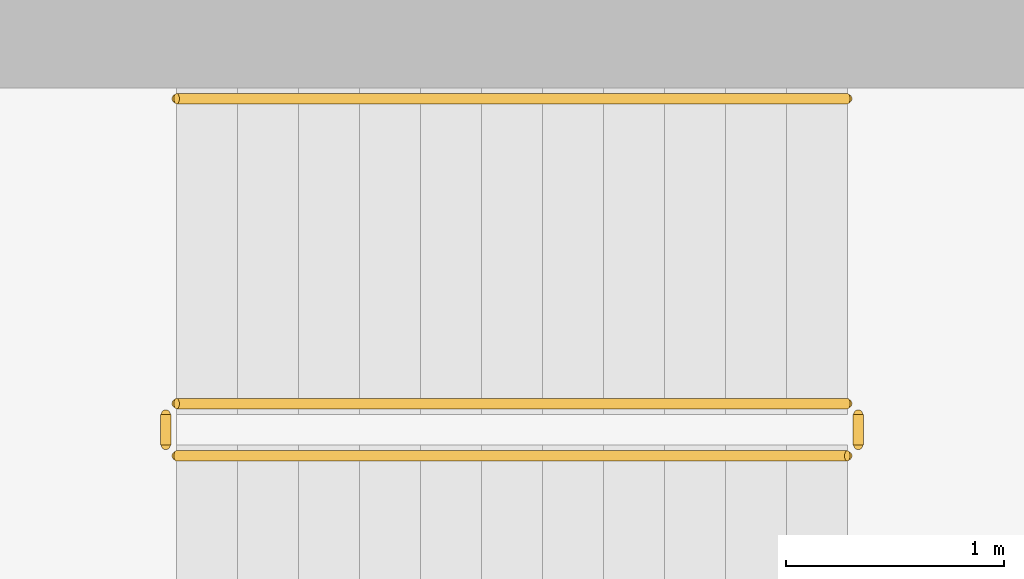
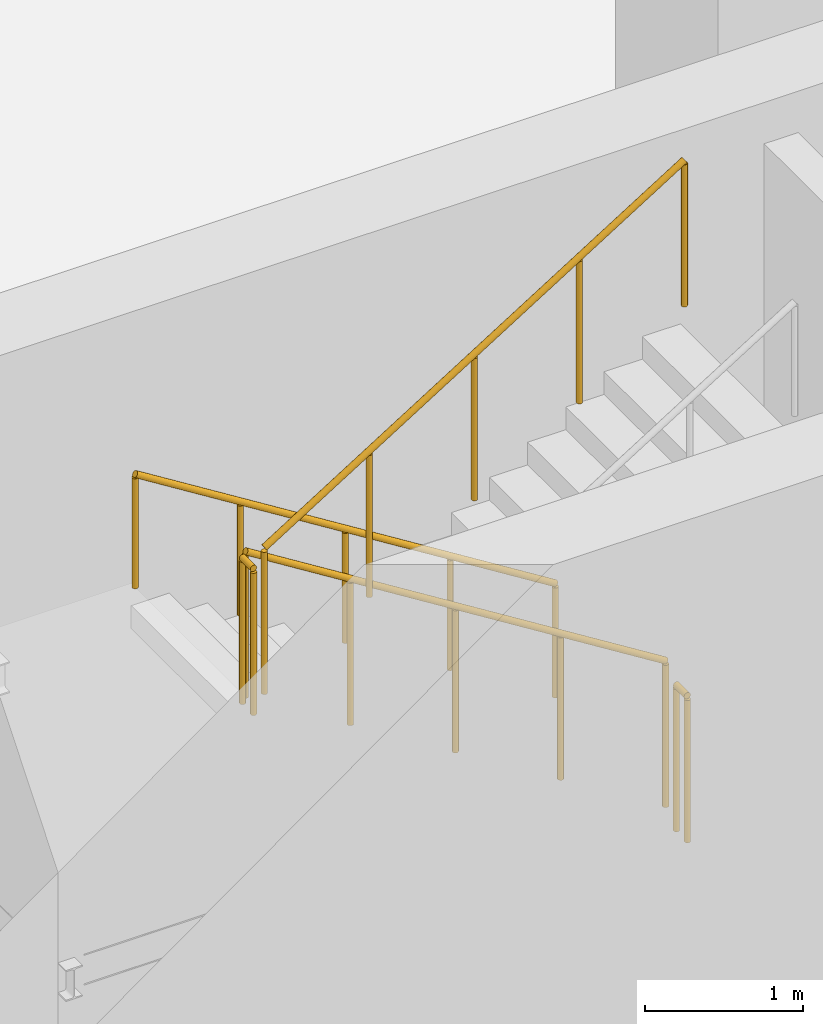
# One storey, part 12 of 14: 5 railings.
"""IFC4 building model written with IfcOpenShell, lengths in metres."""

from ifc_helpers import new_model, si_unit, derived_unit, direction, frame, origin, origin_2d, place, context, subcontext, project, spatial, circle, extrude, material, type_object, element, save


model = new_model("IFC4")

# Units and contexts
model_context = context("Model", 3, precision=1e-05, world=origin(), true_north=direction((0.0, 1.0)))
body_context = subcontext(model_context, "Body", "Model", "MODEL_VIEW")
ifc_project = project(units=[si_unit("LENGTHUNIT", "METRE"), si_unit("AREAUNIT", "SQUARE_METRE"), si_unit("VOLUMEUNIT", "CUBIC_METRE"), si_unit("PLANEANGLEUNIT", "RADIAN"), si_unit("MASSUNIT", "GRAM", prefix="KILO"), derived_unit("THERMALTRANSMITTANCEUNIT", [(si_unit("POWERUNIT", "WATT"), 1), (si_unit("LENGTHUNIT", "METRE"), -2), (si_unit("THERMODYNAMICTEMPERATUREUNIT", "KELVIN"), -1)])], contexts=[model_context])

# Site, building, storey
site_placement = place(None, origin())
site = spatial("IfcSite", under=ifc_project, at=site_placement, CompositionType="ELEMENT")
building_placement = place(site_placement, origin())
building = spatial("IfcBuilding", under=site, at=building_placement, Name="Kivonza Crest Hotel", CompositionType="ELEMENT")
storey_placement = place(building_placement, frame((0.0, 0.0, -8.39990234375)))
storey = spatial("IfcBuildingStorey", under=building, at=storey_placement, Name="B2", CompositionType="ELEMENT", Elevation=-8.39990234375)

# Railings
ifc_material_1 = material(Name="Brushed stainless steel handrail", Category="steel")
railing_type_1 = type_object("IfcRailingType", Name="RL-HAND-900", PredefinedType="HANDRAIL", material=ifc_material_1)
railing_1_placement = place(storey_placement, frame((12.239990234375, 36.110107421875, 0.1748046875)))
element("IfcRailing", 1, at=railing_1_placement, inside=storey, type_object=railing_type_1, Name="B2 ST-T1-N stair handrail 1", PredefinedType="HANDRAIL", context=body_context, shape_type="SweptSolid", body=[
    extrude(circle(Radius=0.02392578125, at=origin_2d()), frame((0.0, 0.0, 0.8759765625), z_axis=(-0.847998304005, 0.0, 0.529998940003), x_axis=(0.0, -1.0, 0.0)), (0.0, 0.0, 1.0), 3.632080078125),
    extrude(circle(Radius=0.02099609375, at=origin_2d()), origin(), (0.0, 0.0, 1.0), 0.851806640625),
    extrude(circle(Radius=0.02099609375, at=origin_2d()), frame((-0.77001953125, 0.0, 0.481201171875)), (0.0, 0.0, 1.0), 0.851806640625),
    extrude(circle(Radius=0.02099609375, at=origin_2d()), frame((-1.5400390625, 0.0, 0.96240234375)), (0.0, 0.0, 1.0), 0.851806640625),
    extrude(circle(Radius=0.02099609375, at=origin_2d()), frame((-2.31005859375, 0.0, 1.44384765625)), (0.0, 0.0, 1.0), 0.851806640625),
    extrude(circle(Radius=0.02099609375, at=origin_2d()), frame((-3.080078125, 0.0, 1.925048828125)), (0.0, 0.0, 1.0), 0.851806640625),
])
ifc_material_2 = material(Name="Painted steel balustrade", Category="steel")
railing_type_2 = type_object("IfcRailingType", Name="RL-STAIR-1150", PredefinedType="BALUSTRADE", material=ifc_material_2)
railing_2_placement = place(storey_placement, frame((12.239990234375, 34.7099609375, 0.1748046875)))
element("IfcRailing", 2, at=railing_2_placement, inside=storey, type_object=railing_type_2, Name="B2 ST-T1-N stair guard 1", PredefinedType="BALUSTRADE", context=body_context, shape_type="SweptSolid", body=[
    extrude(circle(Radius=0.02392578125, at=origin_2d()), frame((0.0, 0.0, 1.1259765625), z_axis=(-0.847998304005, 0.0, 0.529998940003), x_axis=(0.0, -1.0, 0.0)), (0.0, 0.0, 1.0), 3.632080078125),
    extrude(circle(Radius=0.02099609375, at=origin_2d()), origin(), (0.0, 0.0, 1.0), 1.101806640625),
    extrude(circle(Radius=0.02099609375, at=origin_2d()), frame((-0.77001953125, 0.0, 0.481201171875)), (0.0, 0.0, 1.0), 1.101806640625),
    extrude(circle(Radius=0.02099609375, at=origin_2d()), frame((-1.5400390625, 0.0, 0.96240234375)), (0.0, 0.0, 1.0), 1.101806640625),
    extrude(circle(Radius=0.02099609375, at=origin_2d()), frame((-2.31005859375, 0.0, 1.44384765625)), (0.0, 0.0, 1.0), 1.101806640625),
    extrude(circle(Radius=0.02099609375, at=origin_2d()), frame((-3.080078125, 0.0, 1.925048828125)), (0.0, 0.0, 1.0), 1.101806640625),
])
railing_3_placement = place(storey_placement, frame((9.110107421875, 34.659912109375, 2.099853515625)))
element("IfcRailing", 3, at=railing_3_placement, inside=storey, type_object=railing_type_2, Name="B2 ST-T1-N stair guard 2", PredefinedType="BALUSTRADE", context=body_context, shape_type="SweptSolid", body=[
    extrude(circle(Radius=0.02392578125, at=origin_2d()), frame((0.0, 0.0, 1.1259765625), z_axis=(0.0, -1.0, 0.0), x_axis=(1.0, 0.0, 0.0)), (0.0, 0.0, 1.0), 0.139892578125),
    extrude(circle(Radius=0.02099609375, at=origin_2d()), origin(), (0.0, 0.0, 1.0), 1.101806640625),
    extrude(circle(Radius=0.02099609375, at=origin_2d()), frame((0.0, -0.139892578125, 0.0)), (0.0, 0.0, 1.0), 1.101806640625),
])
railing_4_placement = place(storey_placement, frame((9.159912109375, 34.469970703125, 2.27490234375)))
element("IfcRailing", 4, at=railing_4_placement, inside=storey, type_object=railing_type_2, Name="B2 ST-T1-N stair guard 3", PredefinedType="BALUSTRADE", context=body_context, shape_type="SweptSolid", body=[
    extrude(circle(Radius=0.02392578125, at=origin_2d()), frame((0.0, 0.0, 1.1259765625), z_axis=(0.847998304005, 0.0, 0.529998940003), x_axis=(0.0, 1.0, 0.0)), (0.0, 0.0, 1.0), 3.632080078125),
    extrude(circle(Radius=0.02099609375, at=origin_2d()), origin(), (0.0, 0.0, 1.0), 1.101806640625),
    extrude(circle(Radius=0.02099609375, at=origin_2d()), frame((0.77001953125, 0.0, 0.481201171875)), (0.0, 0.0, 1.0), 1.101806640625),
    extrude(circle(Radius=0.02099609375, at=origin_2d()), frame((1.5400390625, 0.0, 0.96240234375)), (0.0, 0.0, 1.0), 1.101806640625),
    extrude(circle(Radius=0.02099609375, at=origin_2d()), frame((2.31005859375, 0.0, 1.44384765625)), (0.0, 0.0, 1.0), 1.101806640625),
    extrude(circle(Radius=0.02099609375, at=origin_2d()), frame((3.080078125, 0.0, 1.925048828125)), (0.0, 0.0, 1.0), 1.101806640625),
])
railing_5_placement = place(storey_placement, frame((12.2900390625, 34.659912109375, 0.0)))
element("IfcRailing", 5, at=railing_5_placement, inside=storey, type_object=railing_type_2, Name="B2 ST-T1-N stair guard 4", PredefinedType="BALUSTRADE", context=body_context, shape_type="SweptSolid", body=[
    extrude(circle(Radius=0.02392578125, at=origin_2d()), frame((0.0, 0.0, 1.1259765625), z_axis=(0.0, -1.0, 0.0), x_axis=(1.0, 0.0, 0.0)), (0.0, 0.0, 1.0), 0.139892578125),
    extrude(circle(Radius=0.02099609375, at=origin_2d()), origin(), (0.0, 0.0, 1.0), 1.101806640625),
    extrude(circle(Radius=0.02099609375, at=origin_2d()), frame((0.0, -0.139892578125, 0.0)), (0.0, 0.0, 1.0), 1.101806640625),
])

save(model, "model.ifc")
